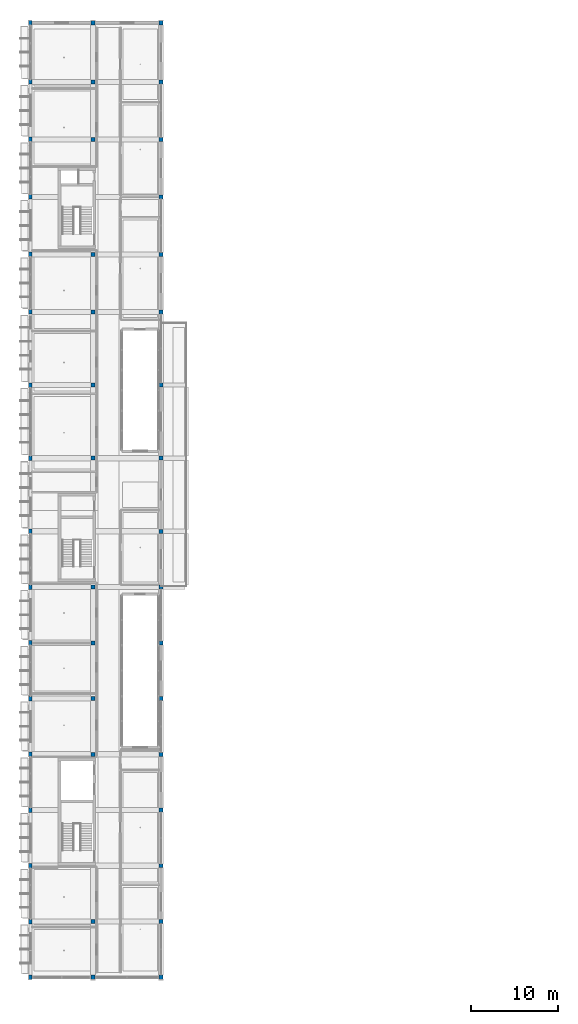
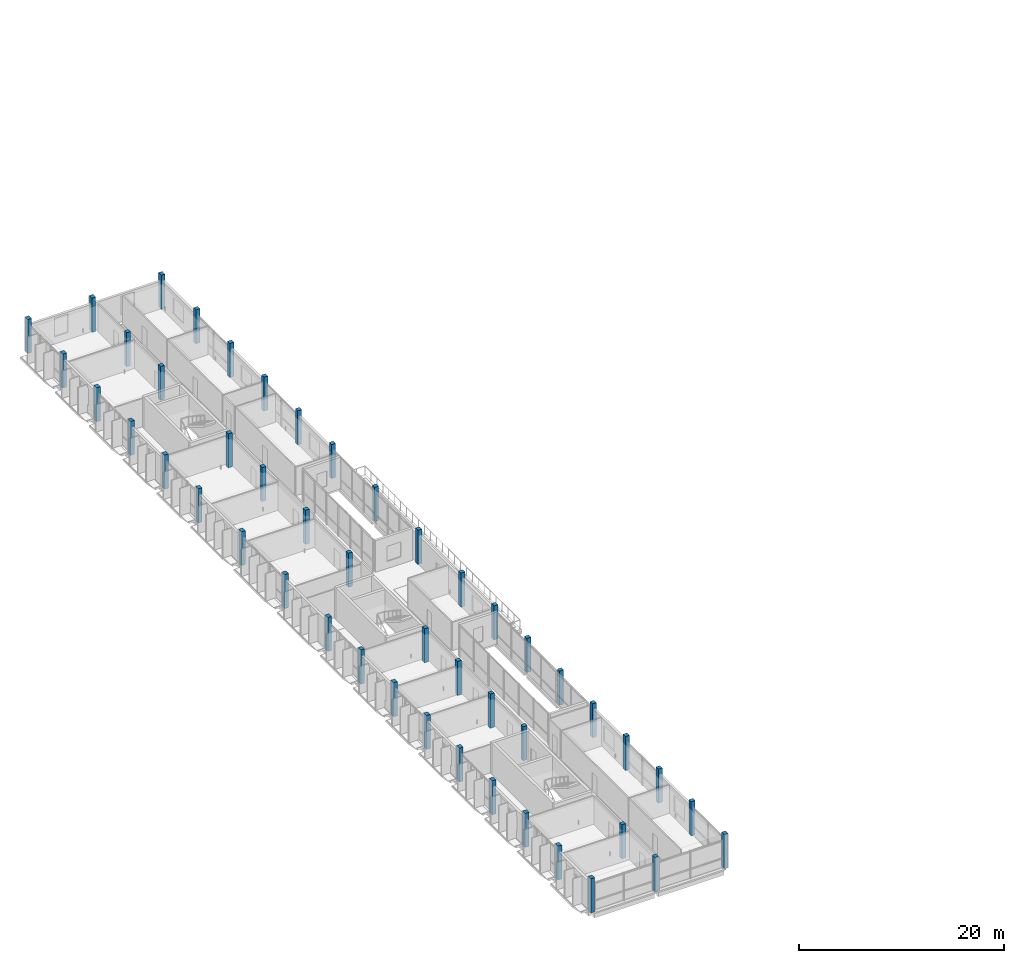
# One storey, part 1 of 48: 47 columns.
"""IFC4 building model written with IfcOpenShell, lengths in metres."""

from ifc_helpers import new_model, si_unit, derived_unit, direction, frame, origin, origin_2d, place, context, subcontext, project, spatial, rectangle, extrude, material, material_profile, profile_set, type_object, element, save


model = new_model("IFC4")

# Units and contexts
model_context = context("Model", 3, precision=1e-05, world=origin(), true_north=direction((0.0, 1.0)))
body_context = subcontext(model_context, "Body", "Model", "MODEL_VIEW")
ifc_project = project(units=[si_unit("LENGTHUNIT", "METRE"), si_unit("AREAUNIT", "SQUARE_METRE"), si_unit("VOLUMEUNIT", "CUBIC_METRE"), si_unit("PLANEANGLEUNIT", "RADIAN"), si_unit("MASSUNIT", "GRAM", prefix="KILO"), derived_unit("THERMALTRANSMITTANCEUNIT", [(si_unit("POWERUNIT", "WATT"), 1), (si_unit("LENGTHUNIT", "METRE"), -2), (si_unit("THERMODYNAMICTEMPERATUREUNIT", "KELVIN"), -1)])], contexts=[model_context])

# Site, building, storey
site_placement = place(None, origin())
site = spatial("IfcSite", under=ifc_project, at=site_placement, CompositionType="ELEMENT")
building_placement = place(site_placement, origin())
building = spatial("IfcBuilding", under=site, at=building_placement, Name="Braskholm Square Health Centre", CompositionType="ELEMENT")
storey_placement = place(building_placement, frame((0.0, 0.0, 17.550048828125)))
storey = spatial("IfcBuildingStorey", under=building, at=storey_placement, Name="L05", CompositionType="ELEMENT", Elevation=17.550048828125)

# Columns
ifc_material_1 = material(Name="Concrete C40/50 (f'c = 40 MPa)", Category="concrete")
ifc_material_profile_1 = material_profile(ifc_material_1, rectangle(XDim=0.449951171875, YDim=0.449951171875, at=origin_2d()), Name="RC-450X450")
ifc_profile_set_1 = profile_set([ifc_material_profile_1], Name="Concrete C40/50 (f'c = 40 MPa)")
column_type_1 = type_object("IfcColumnType", Name="ColInteriorTop450", PredefinedType="COLUMN", material=ifc_profile_set_1)
for number, where, z_axis, x_axis, name in (
    (1, (11.39990234375, 10.60009765625, 0.0), (0.0, 0.0, 1.0), (1.0, 0.0, 0.0), "Column 2/B L05"),
    (2, (11.39990234375, 29.800048828125, 0.0), (0.0, 0.0, 1.0), (1.0, 0.0, 0.0), "Column 2/E L05"),
    (3, (11.39990234375, 36.199951171875, 0.0), (0.0, 0.0, 1.0), (1.0, 0.0, 0.0), "Column 2/F L05"),
    (4, (11.39990234375, 42.60009765625, 0.0), (0.0, 0.0, 1.0), (1.0, 0.0, 0.0), "Column 2/G L05"),
    (5, (11.39990234375, 49.0, 0.0), (0.0, 0.0, 1.0), (1.0, 0.0, 0.0), "Column 2/H L05"),
    (6, (11.39990234375, 63.800048828125, 0.0), (0.0, 0.0, 1.0), (1.0, 0.0, 0.0), "Column 2/K L05"),
    (7, (11.39990234375, 72.199951171875, 0.0), (0.0, 0.0, 1.0), (1.0, 0.0, 0.0), "Column 2/L L05"),
    (8, (11.39990234375, 80.60009765625, 0.0), (0.0, 0.0, 1.0), (1.0, 0.0, 0.0), "Column 2/M L05"),
    (9, (11.39990234375, 87.199951171875, 0.0), (0.0, 0.0, 1.0), (1.0, 0.0, 0.0), "Column 2/N L05"),
    (10, (11.39990234375, 100.39990234375, 0.0), (0.0, 0.0, 1.0), (1.0, 0.0, 0.0), "Column 2/Q L05"),
    (11, (11.39990234375, 107.0, 0.0), (0.0, 0.0, 1.0), (1.0, 0.0, 0.0), "Column 2/R L05"),
    (12, (19.199951171875, 10.60009765625, 0.0), (0.0, 0.0, 1.0), (1.0, 0.0, 0.0), "Column 3/B L05"),
    (13, (19.199951171875, 17.0, 0.0), (0.0, 0.0, 1.0), (1.0, 0.0, 0.0), "Column 3/C L05"),
    (14, (19.199951171875, 23.39990234375, 0.0), (0.0, 0.0, 1.0), (1.0, 0.0, 0.0), "Column 3/D L05"),
    (15, (19.199951171875, 29.800048828125, 0.0), (0.0, 0.0, 1.0), (1.0, 0.0, 0.0), "Column 3/E L05"),
    (16, (19.199951171875, 36.199951171875, 0.0), (0.0, 0.0, 1.0), (1.0, 0.0, 0.0), "Column 3/F L05"),
    (17, (19.199951171875, 42.60009765625, 0.0), (0.0, 0.0, 1.0), (1.0, 0.0, 0.0), "Column 3/G L05"),
    (18, (19.199951171875, 49.0, 0.0), (0.0, 0.0, 1.0), (1.0, 0.0, 0.0), "Column 3/H L05"),
    (19, (19.199951171875, 55.39990234375, 0.0), (0.0, 0.0, 1.0), (1.0, 0.0, 0.0), "Column 3/J L05"),
    (20, (19.199951171875, 63.800048828125, 0.0), (0.0, 0.0, 1.0), (1.0, 0.0, 0.0), "Column 3/K L05"),
    (21, (19.199951171875, 72.199951171875, 0.0), (0.0, 0.0, 1.0), (1.0, 0.0, 0.0), "Column 3/L L05"),
    (22, (19.199951171875, 80.60009765625, 0.0), (0.0, 0.0, 1.0), (1.0, 0.0, 0.0), "Column 3/M L05"),
    (23, (19.199951171875, 87.199951171875, 0.0), (0.0, 0.0, 1.0), (1.0, 0.0, 0.0), "Column 3/N L05"),
    (24, (19.199951171875, 93.800048828125, 0.0), (0.0, 0.0, 1.0), (1.0, 0.0, 0.0), "Column 3/P L05"),
    (25, (19.199951171875, 100.39990234375, 0.0), (0.0, 0.0, 1.0), (1.0, 0.0, 0.0), "Column 3/Q L05"),
    (26, (19.199951171875, 107.0, 0.0), (0.0, 0.0, 1.0), (1.0, 0.0, 0.0), "Column 3/R L05"),
):
    element("IfcColumn", number, at=place(storey_placement, frame(where, z_axis=z_axis, x_axis=x_axis)), inside=storey, type_object=column_type_1, Name=name, PredefinedType="COLUMN", context=body_context, shape_type="SweptSolid", body=[
        extrude(rectangle(XDim=0.449951171875, YDim=0.449951171875, at=origin_2d()), origin(), (0.0, 0.0, 1.0), 4.050048828125),
    ])
ifc_material_2 = material(Name="Precast concrete C40/50 architectural white", Category="concrete")
ifc_material_profile_2 = material_profile(ifc_material_2, rectangle(XDim=0.419921875, YDim=0.52001953125, at=origin_2d()), Name="RC-420X520")
ifc_profile_set_2 = profile_set([ifc_material_profile_2], Name="Precast concrete C40/50 architectural white")
column_type_2 = type_object("IfcColumnType", Name="ColPrecastFrame420x520", PredefinedType="COLUMN", material=ifc_profile_set_2)
for number, where, z_axis, x_axis, name in (
    (27, (4.199951171875, 4.199951171875, 0.0), (0.0, 0.0, 1.0), (1.0, 0.0, 0.0), "Column 1/A L05"),
    (28, (4.199951171875, 10.60009765625, 0.0), (0.0, 0.0, 1.0), (1.0, 0.0, 0.0), "Column 1/B L05"),
    (29, (4.199951171875, 17.0, 0.0), (0.0, 0.0, 1.0), (1.0, 0.0, 0.0), "Column 1/C L05"),
    (30, (4.199951171875, 23.39990234375, 0.0), (0.0, 0.0, 1.0), (1.0, 0.0, 0.0), "Column 1/D L05"),
    (31, (4.199951171875, 29.800048828125, 0.0), (0.0, 0.0, 1.0), (1.0, 0.0, 0.0), "Column 1/E L05"),
    (32, (4.199951171875, 36.199951171875, 0.0), (0.0, 0.0, 1.0), (1.0, 0.0, 0.0), "Column 1/F L05"),
    (33, (4.199951171875, 42.60009765625, 0.0), (0.0, 0.0, 1.0), (1.0, 0.0, 0.0), "Column 1/G L05"),
    (34, (4.199951171875, 49.0, 0.0), (0.0, 0.0, 1.0), (1.0, 0.0, 0.0), "Column 1/H L05"),
    (35, (4.199951171875, 55.39990234375, 0.0), (0.0, 0.0, 1.0), (1.0, 0.0, 0.0), "Column 1/J L05"),
    (36, (4.199951171875, 63.800048828125, 0.0), (0.0, 0.0, 1.0), (1.0, 0.0, 0.0), "Column 1/K L05"),
    (37, (4.199951171875, 72.199951171875, 0.0), (0.0, 0.0, 1.0), (1.0, 0.0, 0.0), "Column 1/L L05"),
    (38, (4.199951171875, 80.60009765625, 0.0), (0.0, 0.0, 1.0), (1.0, 0.0, 0.0), "Column 1/M L05"),
    (39, (4.199951171875, 87.199951171875, 0.0), (0.0, 0.0, 1.0), (1.0, 0.0, 0.0), "Column 1/N L05"),
    (40, (4.199951171875, 93.800048828125, 0.0), (0.0, 0.0, 1.0), (1.0, 0.0, 0.0), "Column 1/P L05"),
    (41, (4.199951171875, 100.39990234375, 0.0), (0.0, 0.0, 1.0), (1.0, 0.0, 0.0), "Column 1/Q L05"),
    (42, (4.199951171875, 107.0, 0.0), (0.0, 0.0, 1.0), (1.0, 0.0, 0.0), "Column 1/R L05"),
    (43, (4.199951171875, 113.800048828125, 0.0), (0.0, 0.0, 1.0), (1.0, 0.0, 0.0), "Column 1/S L05"),
    (44, (11.39990234375, 4.199951171875, 0.0), (0.0, 0.0, 1.0), (1.0, 0.0, 0.0), "Column 2/A L05"),
    (45, (11.39990234375, 113.800048828125, 0.0), (0.0, 0.0, 1.0), (1.0, 0.0, 0.0), "Column 2/S L05"),
    (46, (19.199951171875, 4.199951171875, 0.0), (0.0, 0.0, 1.0), (1.0, 0.0, 0.0), "Column 3/A L05"),
    (47, (19.199951171875, 113.800048828125, 0.0), (0.0, 0.0, 1.0), (1.0, 0.0, 0.0), "Column 3/S L05"),
):
    element("IfcColumn", number, at=place(storey_placement, frame(where, z_axis=z_axis, x_axis=x_axis)), inside=storey, type_object=column_type_2, Name=name, PredefinedType="COLUMN", context=body_context, shape_type="SweptSolid", body=[
        extrude(rectangle(XDim=0.419921875, YDim=0.52001953125, at=origin_2d()), origin(), (0.0, 0.0, 1.0), 4.050048828125),
    ])

save(model, "model.ifc")
